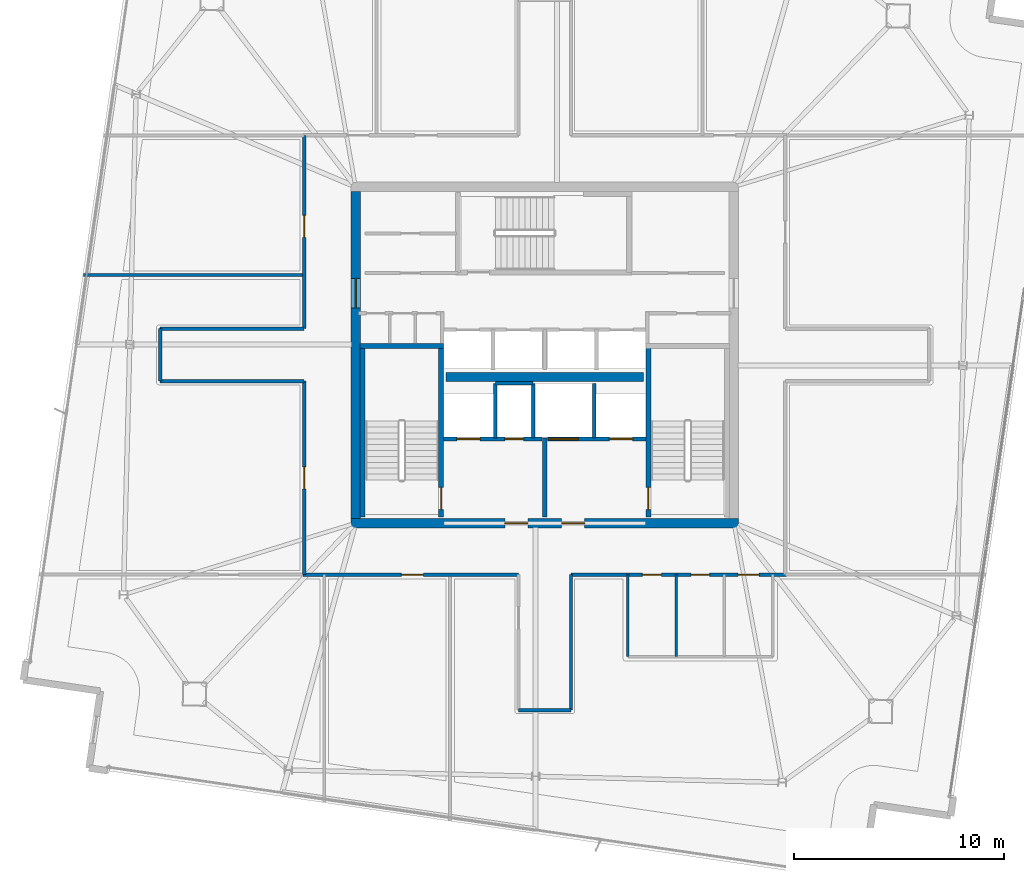
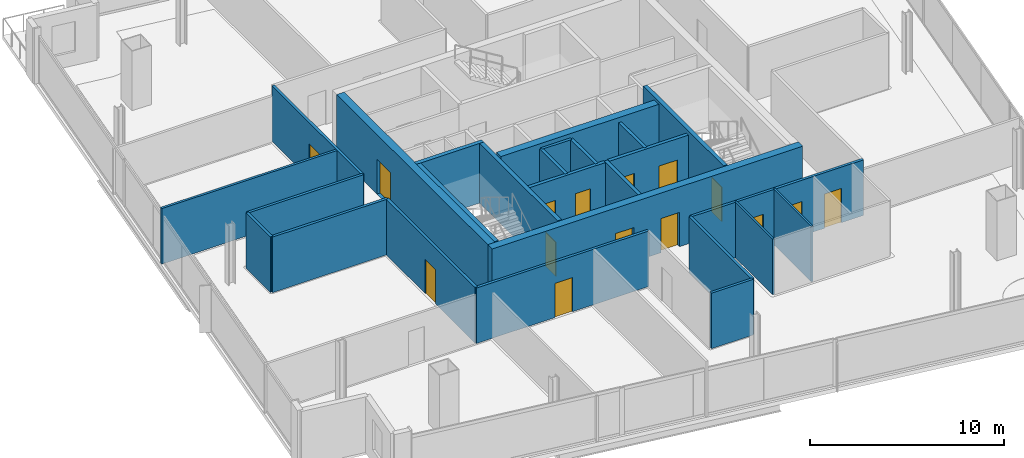
# One storey, part 17 of 22: 26 walls, 15 doors, 15 openings.
"""IFC4 building model written with IfcOpenShell, lengths in metres."""

import ifcopenshell
import ifcopenshell.guid

model = None  # the IFC model being written
_history = None  # IfcOwnerHistory: only IFC2X3 demands one
_inside = {}  # id of a spatial element -> (the spatial element, [elements in it])
_under = {}  # id of a project, library or spatial element -> (it, [spatial elements below it])
_declared = {}  # id of a project -> (the project, [libraries it declares])
_typed = {}  # id of a type object -> (the type object, [elements of that type])
_made_of = {}  # id of a material, layer set ... -> (it, [elements and type objects made of it])


def new_model(schema):
    """Start an empty IFC model of exactly this schema.

    Asked for "IFC4X3", IfcOpenShell would pick the latest addendum, in which some entities
    have other attributes; the version numbers below select the first issue.
    IFC2X3 requires an IfcOwnerHistory on every rooted entity: one is made here for all.
    """
    global model, _history
    if schema == "IFC4X3":
        model = ifcopenshell.file(schema_version=(4, 3, 0, 0))
    else:
        model = ifcopenshell.file(schema=schema)
    _inside.clear()
    _under.clear()
    _declared.clear()
    _typed.clear()
    _made_of.clear()
    _history = None
    if model.schema == "IFC2X3":
        org = make("IfcOrganization", Name="unknown")
        user = make(
            "IfcPersonAndOrganization",
            ThePerson=make("IfcPerson", FamilyName="unknown"),
            TheOrganization=org,
        )
        app = make(
            "IfcApplication",
            ApplicationDeveloper=org,
            Version="unknown",
            ApplicationFullName="unknown",
            ApplicationIdentifier="unknown",
        )
        _history = make(
            "IfcOwnerHistory",
            OwningUser=user,
            OwningApplication=app,
            ChangeAction="ADDED",
            CreationDate=0,
        )
    return model


def make(cls, **values):
    """One entity of the class cls with the attributes given. An attribute that is None is left unset."""
    return model.create_entity(
        cls, **{name: value for name, value in values.items() if value is not None}
    )


def rooted(cls, **values):
    """An entity with a GlobalId (a new one), such as an element, a storey or a relation."""
    return make(cls, GlobalId=ifcopenshell.guid.new(), OwnerHistory=_history, **values)


def si_unit(unit_type, name, prefix=None):
    """IfcSIUnit, for example si_unit("LENGTHUNIT", "METRE", prefix="MILLI")."""
    return make("IfcSIUnit", UnitType=unit_type, Prefix=prefix, Name=name)


def assignment(units):
    """IfcUnitAssignment: the units of a project."""
    return None if units is None else make("IfcUnitAssignment", Units=units)


def point(xyz):
    """IfcCartesianPoint."""
    return None if xyz is None else make("IfcCartesianPoint", Coordinates=xyz)


def direction(xyz):
    """IfcDirection."""
    return None if xyz is None else make("IfcDirection", DirectionRatios=xyz)


def frame(location, z_axis=None, x_axis=None):
    """IfcAxis2Placement3D, a coordinate frame: its origin and axes. An axis left out is left unset."""
    return make(
        "IfcAxis2Placement3D",
        Location=point(location),
        Axis=direction(z_axis),
        RefDirection=direction(x_axis),
    )


def frame_2d(location, x_axis=None):
    """IfcAxis2Placement2D, a coordinate frame in the plane: its origin and x axis."""
    return make(
        "IfcAxis2Placement2D", Location=point(location), RefDirection=direction(x_axis)
    )


def origin():
    """The frame at (0, 0, 0) with its axes left unset."""
    return frame((0.0, 0.0, 0.0))


def place(relative_to, where):
    """IfcLocalPlacement: puts the frame where relative to a parent placement (None: the world)."""
    return make(
        "IfcLocalPlacement", PlacementRelTo=relative_to, RelativePlacement=where
    )


def context(
    kind, dimensions, precision=None, world=None, true_north=None, identifier=None
):
    """IfcGeometricRepresentationContext, for example the 3D "Model" context."""
    return make(
        "IfcGeometricRepresentationContext",
        ContextIdentifier=identifier,
        ContextType=kind,
        CoordinateSpaceDimension=dimensions,
        Precision=precision,
        WorldCoordinateSystem=world,
        TrueNorth=true_north,
    )


def subcontext(parent, identifier, kind, view, scale=None):
    """IfcGeometricRepresentationSubContext, for example "Body" below "Model"."""
    return make(
        "IfcGeometricRepresentationSubContext",
        ContextIdentifier=identifier,
        ContextType=kind,
        ParentContext=parent,
        TargetScale=scale,
        TargetView=view,
    )


def project(units=None, contexts=None):
    """IfcProject with its units and contexts."""
    return rooted(
        "IfcProject",
        Name="project",
        RepresentationContexts=contexts,
        UnitsInContext=assignment(units),
    )


def spatial(cls, under=None, at=None, **own):
    """A site, building, storey or space (cls), placed at a placement, below another one or the project."""
    s = rooted(cls, ObjectPlacement=at, **own)
    if under is not None:
        _under.setdefault(under.id(), (under, []))[1].append(s)
    return s


def profile(cls, at=None, kind="AREA", **sizes):
    """A parametric profile (cls). Its sizes go by their IFC names, for example OverallWidth=200.0."""
    return make(cls, ProfileType=kind, Position=at, **sizes)


def rectangle(**sizes):
    """IfcRectangleProfileDef."""
    return profile("IfcRectangleProfileDef", **sizes)


def extrude(swept, where, along, depth):
    """IfcExtrudedAreaSolid: the profile swept, set in the frame where, extruded along a direction by depth."""
    return make(
        "IfcExtrudedAreaSolid",
        SweptArea=swept,
        Position=where,
        ExtrudedDirection=direction(along),
        Depth=depth,
    )


def shape(context_of_items, identifier, shape_type, items):
    """IfcShapeRepresentation: the items that make up one representation, for example the "Body"."""
    return make(
        "IfcShapeRepresentation",
        ContextOfItems=context_of_items,
        RepresentationIdentifier=identifier,
        RepresentationType=shape_type,
        Items=items,
    )


def material(Name=None, Category=None):
    """IfcMaterial."""
    return make("IfcMaterial", Name=Name, Category=Category)


def layer(
    of_material, thickness, ventilated=None, Name=None, Category=None, Priority=None
):
    """IfcMaterialLayer: one layer of a wall or slab, of a material (None: an air gap)."""
    return make(
        "IfcMaterialLayer",
        Material=of_material,
        LayerThickness=thickness,
        IsVentilated=ventilated,
        Name=Name,
        Category=Category,
        Priority=Priority,
    )


def layer_set(layers, Name=None):
    """IfcMaterialLayerSet."""
    return make("IfcMaterialLayerSet", MaterialLayers=layers, LayerSetName=Name)


def made_of(thing, what):
    """Note that an element or type object is made of a material, layer set ...; save() writes the relation."""
    if what is not None:
        _made_of.setdefault(what.id(), (what, []))[1].append(thing)
    return thing


def type_object(cls, material=None, **own):
    """A type object (cls), such as IfcWallType, which elements share."""
    return made_of(rooted(cls, **own), material)


def element(
    cls,
    number,
    at=None,
    inside=None,
    cuts=None,
    type_object=None,
    material=None,
    context=None,
    identifier="Body",
    shape_type=None,
    held_by="IfcProductDefinitionShape",
    body=None,
    shapes=None,
    **own,
):
    """One element of the class cls, such as IfcWall. Its Tag is "e" and its number.

    at: its placement. inside: the storey or other place that contains it. cuts: it is an
    opening in that element (IfcRelVoidsElement). A single representation is given by context,
    identifier, shape_type and body (its items); several are given by shapes. held_by: the class
    of the entity that holds the representations. save() writes the other relations.
    """
    e = rooted(cls, Tag="e%d" % number, ObjectPlacement=at, **own)
    if body is not None:
        shapes = [shape(context, identifier, shape_type, body)]
    if shapes is not None:
        e.Representation = make(held_by, Representations=shapes)
    if inside is not None:
        _inside.setdefault(inside.id(), (inside, []))[1].append(e)
    if cuts is not None:
        rooted(
            "IfcRelVoidsElement", RelatingBuildingElement=cuts, RelatedOpeningElement=e
        )
    if type_object is not None:
        _typed.setdefault(type_object.id(), (type_object, []))[1].append(e)
    return made_of(e, material)


def fill(opening, filler):
    """IfcRelFillsElement: the door or window that sits in an opening."""
    return rooted(
        "IfcRelFillsElement",
        RelatingOpeningElement=opening,
        RelatedBuildingElement=filler,
    )


def aggregate(whole, parts):
    """IfcRelAggregates: a whole, such as a stair, and the parts it consists of."""
    return rooted("IfcRelAggregates", RelatingObject=whole, RelatedObjects=parts)


def save(model, path):
    """Write the relations noted so far, then the file.

    IfcRelAggregates (storeys below a building ...), IfcRelContainedInSpatialStructure (elements
    in a storey), IfcRelDefinesByType, IfcRelAssociatesMaterial and IfcRelDeclares: one each for
    every whole, place, type object, material and project.
    """
    for whole, parts in _under.values():
        aggregate(whole, parts)
    for where, things in _inside.values():
        rooted(
            "IfcRelContainedInSpatialStructure",
            RelatedElements=things,
            RelatingStructure=where,
        )
    for kind, things in _typed.values():
        rooted("IfcRelDefinesByType", RelatedObjects=things, RelatingType=kind)
    for what, things in _made_of.values():
        rooted("IfcRelAssociatesMaterial", RelatedObjects=things, RelatingMaterial=what)
    for by, libraries in _declared.values():
        rooted("IfcRelDeclares", RelatingContext=by, RelatedDefinitions=libraries)
    model.write(path)


model = new_model("IFC4")

# Units and contexts
model_context = context("Model", 3, precision=1e-05, world=origin(), true_north=direction((0.0, 1.0)))
body_context = subcontext(model_context, "Body", "Model", "MODEL_VIEW")
ifc_project = project(units=[si_unit("LENGTHUNIT", "METRE"), si_unit("AREAUNIT", "SQUARE_METRE"), si_unit("VOLUMEUNIT", "CUBIC_METRE"), si_unit("PLANEANGLEUNIT", "RADIAN"), si_unit("MASSUNIT", "GRAM", prefix="KILO")], contexts=[model_context])

# Site, building, storey
site_placement = place(None, origin())
site = spatial("IfcSite", under=ifc_project, at=site_placement, CompositionType="ELEMENT")
building_placement = place(site_placement, origin())
building = spatial("IfcBuilding", under=site, at=building_placement, Name="Haldenkirk Collegiate Tower", CompositionType="ELEMENT")
storey_placement = place(building_placement, frame((0.0, 0.0, 302.699951171875)))
storey = spatial("IfcBuildingStorey", under=building, at=storey_placement, Name="L76", CompositionType="ELEMENT", Elevation=302.699951171875)

# Wall, openings, doors
ifc_material_1 = material(Name="Concrete f'c 55 MPa", Category="concrete")
ifc_layer_1 = layer(ifc_material_1, 0.449951171875)
ifc_layer_set_1 = layer_set([ifc_layer_1], Name="Concrete f'c 55 MPa")
wall_type_1 = type_object("IfcWallType", Name="WL-CORE-450", PredefinedType="SHEAR", material=ifc_layer_set_1)
wall_1_placement = place(storey_placement, frame((26.77490234375, 18.0, 0.0), z_axis=(0.0, 0.0, 1.0), x_axis=(1.0, 0.0, 0.0)))
wall_1 = element("IfcWall", 1, at=wall_1_placement, inside=storey, type_object=wall_type_1, Name="L76 central core shear wall S", PredefinedType="SHEAR", context=body_context, shape_type="SweptSolid", body=[
    extrude(rectangle(XDim=18.4501953125, YDim=0.449951171875, at=frame_2d((9.22509765625, 0.0))), origin(), (0.0, 0.0, 1.0), 3.75),
])
opening_1_placement = place(wall_1_placement, frame((7.324951171875, 0.0, 0.0)))
opening_1 = element("IfcOpeningElement", 2, at=opening_1_placement, cuts=wall_1, Name="Opening D-02", PredefinedType="OPENING", context=body_context, shape_type="SweptSolid", body=[
    extrude(rectangle(XDim=1.10009765625, YDim=2.14990234375, at=frame_2d((0.550048828125, 1.074951171875))), frame((0.0, 0.23486328125, 0.0), z_axis=(0.0, -1.0, 0.0), x_axis=(1.0, 0.0, 0.0)), (0.0, 0.0, 1.0), 0.469970703125),
])
opening_2_placement = place(wall_1_placement, frame((10.02490234375, 0.0, 0.0)))
opening_2 = element("IfcOpeningElement", 3, at=opening_2_placement, cuts=wall_1, Name="Opening D-02", PredefinedType="OPENING", context=body_context, shape_type="SweptSolid", body=[
    extrude(rectangle(XDim=1.10009765625, YDim=2.14990234375, at=frame_2d((0.550048828125, 1.074951171875))), frame((0.0, 0.23486328125, 0.0), z_axis=(0.0, -1.0, 0.0), x_axis=(1.0, 0.0, 0.0)), (0.0, 0.0, 1.0), 0.469970703125),
])
ifc_material_2 = material(Name="Galvanized fire-rated hollow steel door", Category="steel")
ifc_layer_2 = layer(ifc_material_2, 0.06005859375)
ifc_layer_set_2 = layer_set([ifc_layer_2], Name="Galvanized fire-rated hollow steel door")
door_type_1 = type_object("IfcDoorType", Name="DR-STAIR-FD90-1100", OperationType="NOTDEFINED", PredefinedType="DOOR", material=ifc_layer_set_2)
door_1_placement = place(opening_1_placement, origin())
door_1 = element("IfcDoor", 4, at=door_1_placement, inside=storey, type_object=door_type_1, Name="L76 Firefighting Lobby 1 door", OperationType="SINGLE_SWING_RIGHT", OverallHeight=2.14990234375, OverallWidth=1.10009765625, PredefinedType="DOOR", context=body_context, shape_type="SweptSolid", body=[
    extrude(rectangle(XDim=1.10009765625, YDim=2.14990234375, at=frame_2d((0.550048828125, 1.074951171875))), frame((0.0, 0.02490234375, 0.0), z_axis=(0.0, -1.0, 0.0), x_axis=(1.0, 0.0, 0.0)), (0.0, 0.0, 1.0), 0.050048828125),
])
fill(opening_1, door_1)
door_2_placement = place(opening_2_placement, origin())
door_2 = element("IfcDoor", 5, at=door_2_placement, inside=storey, type_object=door_type_1, Name="L76 Firefighting Lobby 2 door", OperationType="SINGLE_SWING_LEFT", OverallHeight=2.14990234375, OverallWidth=1.10009765625, PredefinedType="DOOR", context=body_context, shape_type="SweptSolid", body=[
    extrude(rectangle(XDim=1.10009765625, YDim=2.14990234375, at=frame_2d((0.550048828125, 1.074951171875))), frame((0.0, 0.02490234375, 0.0), z_axis=(0.0, -1.0, 0.0), x_axis=(1.0, 0.0, 0.0)), (0.0, 0.0, 1.0), 0.050048828125),
])
fill(opening_2, door_2)

# Wall, opening, door
wall_2_placement = place(storey_placement, frame((27.0, 18.22509765625, 0.0), z_axis=(0.0, 0.0, 1.0), x_axis=(0.0, 1.0, 0.0)))
wall_2 = element("IfcWall", 6, at=wall_2_placement, inside=storey, type_object=wall_type_1, Name="L76 central core shear wall W", PredefinedType="SHEAR", context=body_context, shape_type="SweptSolid", body=[
    extrude(rectangle(XDim=15.5498046875, YDim=0.449951171875, at=frame_2d((7.77490234375, 0.0))), origin(), (0.0, 0.0, 1.0), 3.75),
])
opening_3_placement = place(wall_2_placement, frame((10.014892578125, 0.0, 0.0)))
opening_3 = element("IfcOpeningElement", 7, at=opening_3_placement, cuts=wall_2, Name="Opening D-03", PredefinedType="OPENING", context=body_context, shape_type="SweptSolid", body=[
    extrude(rectangle(XDim=1.39990234375, YDim=2.199951171875, at=frame_2d((0.699951171875, 1.10009765625))), frame((0.0, 0.23486328125, 0.0), z_axis=(0.0, -1.0, 0.0), x_axis=(1.0, 0.0, 0.0)), (0.0, 0.0, 1.0), 0.469970703125),
])
ifc_layer_3 = layer(ifc_material_2, 0.06005859375)
ifc_layer_set_3 = layer_set([ifc_layer_3], Name="Galvanized fire-rated hollow steel door")
door_type_2 = type_object("IfcDoorType", Name="DR-LOBBY-FD90-1400", OperationType="NOTDEFINED", PredefinedType="DOOR", material=ifc_layer_set_3)
door_3_placement = place(opening_3_placement, origin())
door_3 = element("IfcDoor", 8, at=door_3_placement, inside=storey, type_object=door_type_2, Name="L76 west lift lobby portal", OperationType="DOUBLE_DOOR_SINGLE_SWING", OverallHeight=2.199951171875, OverallWidth=1.39990234375, PredefinedType="DOOR", context=body_context, shape_type="SweptSolid", body=[
    extrude(rectangle(XDim=1.39990234375, YDim=2.199951171875, at=frame_2d((0.699951171875, 1.10009765625))), frame((0.0, 0.02490234375, 0.0), z_axis=(0.0, -1.0, 0.0), x_axis=(1.0, 0.0, 0.0)), (0.0, 0.0, 1.0), 0.050048828125),
])
fill(opening_3, door_3)

# Wall
wall_3_placement = place(storey_placement, frame((31.31005859375, 24.949951171875, 0.0), z_axis=(0.0, 0.0, 1.0), x_axis=(1.0, 0.0, 0.0)))
element("IfcWall", 9, at=wall_3_placement, inside=storey, type_object=wall_type_1, Name="L76 central core spine shear wall", PredefinedType="SHEAR", context=body_context, shape_type="SweptSolid", body=[
    extrude(rectangle(XDim=9.3798828125, YDim=0.449951171875, at=frame_2d((4.68994140625, 0.0))), origin(), (0.0, 0.0, 1.0), 3.75),
])

# Wall, opening, door
ifc_material_3 = material(Name="Acoustic fire-rated gypsum partition", Category="concrete")
ifc_layer_4 = layer(ifc_material_3, 0.159912109375)
ifc_layer_set_4 = layer_set([ifc_layer_4], Name="Acoustic fire-rated gypsum partition")
wall_type_2 = type_object("IfcWallType", Name="WL-INT-CORR-160", PredefinedType="PARTITIONING", material=ifc_layer_set_4)
wall_4_placement = place(storey_placement, frame((24.5, 15.550048828125, 0.0), z_axis=(0.0, 0.0, 1.0), x_axis=(1.0, 0.0, 0.0)))
wall_4 = element("IfcWall", 10, at=wall_4_placement, inside=storey, type_object=wall_type_2, Name="L76 interior partition IW-L76-CS1", PredefinedType="PARTITIONING", context=body_context, shape_type="SweptSolid", body=[
    extrude(rectangle(XDim=10.25, YDim=0.159912109375, at=frame_2d((5.125, 0.0))), origin(), (0.0, 0.0, 1.0), 3.489990234375),
])
opening_4_placement = place(wall_4_placement, frame((4.675048828125, 0.0, 0.0)))
opening_4 = element("IfcOpeningElement", 11, at=opening_4_placement, cuts=wall_4, Name="Opening D-09", PredefinedType="OPENING", context=body_context, shape_type="SweptSolid", body=[
    extrude(rectangle(XDim=1.050048828125, YDim=2.14990234375, at=frame_2d((0.52490234375, 1.074951171875))), frame((0.0, 0.08984375, 0.0), z_axis=(0.0, -1.0, 0.0), x_axis=(1.0, 0.0, 0.0)), (0.0, 0.0, 1.0), 0.179931640625),
])
ifc_material_4 = material(Name="Solid-core architectural oak fire door", Category="wood")
ifc_layer_5 = layer(ifc_material_4, 0.06005859375)
ifc_layer_set_5 = layer_set([ifc_layer_5], Name="Solid-core architectural oak fire door")
door_type_3 = type_object("IfcDoorType", Name="DR-INT-FD60-1050", OperationType="NOTDEFINED", PredefinedType="DOOR", material=ifc_layer_set_5)
door_4_placement = place(opening_4_placement, origin())
door_4 = element("IfcDoor", 12, at=door_4_placement, inside=storey, type_object=door_type_3, Name="L76 Academic Counseling Clinic 2 door", OperationType="SINGLE_SWING_LEFT", OverallHeight=2.14990234375, OverallWidth=1.050048828125, PredefinedType="DOOR", context=body_context, shape_type="SweptSolid", body=[
    extrude(rectangle(XDim=1.050048828125, YDim=2.14990234375, at=frame_2d((0.52490234375, 1.074951171875))), frame((0.0, 0.02490234375, 0.0), z_axis=(0.0, -1.0, 0.0), x_axis=(1.0, 0.0, 0.0)), (0.0, 0.0, 1.0), 0.050048828125),
])
fill(opening_4, door_4)

# Wall, openings, doors
wall_5_placement = place(storey_placement, frame((37.25, 15.550048828125, 0.0), z_axis=(0.0, 0.0, 1.0), x_axis=(1.0, 0.0, 0.0)))
wall_5 = element("IfcWall", 13, at=wall_5_placement, inside=storey, type_object=wall_type_2, Name="L76 interior partition IW-L76-CS2", PredefinedType="PARTITIONING", context=body_context, shape_type="SweptSolid", body=[
    extrude(rectangle(XDim=10.25, YDim=0.159912109375, at=frame_2d((5.125, 0.0))), origin(), (0.0, 0.0, 1.0), 3.489990234375),
])
opening_5_placement = place(wall_5_placement, frame((3.39990234375, 0.0, 0.0)))
opening_5 = element("IfcOpeningElement", 14, at=opening_5_placement, cuts=wall_5, Name="Opening D-13", PredefinedType="OPENING", context=body_context, shape_type="SweptSolid", body=[
    extrude(rectangle(XDim=0.89990234375, YDim=2.14990234375, at=frame_2d((0.449951171875, 1.074951171875))), frame((0.0, 0.08984375, 0.0), z_axis=(0.0, -1.0, 0.0), x_axis=(1.0, 0.0, 0.0)), (0.0, 0.0, 1.0), 0.179931640625),
])
opening_6_placement = place(wall_5_placement, frame((5.699951171875, 0.0, 0.0)))
opening_6 = element("IfcOpeningElement", 15, at=opening_6_placement, cuts=wall_5, Name="Opening D-13", PredefinedType="OPENING", context=body_context, shape_type="SweptSolid", body=[
    extrude(rectangle(XDim=0.89990234375, YDim=2.14990234375, at=frame_2d((0.449951171875, 1.074951171875))), frame((0.0, 0.08984375, 0.0), z_axis=(0.0, -1.0, 0.0), x_axis=(1.0, 0.0, 0.0)), (0.0, 0.0, 1.0), 0.179931640625),
])
opening_7_placement = place(wall_5_placement, frame((7.949951171875, 0.0, 0.0)))
opening_7 = element("IfcOpeningElement", 16, at=opening_7_placement, cuts=wall_5, Name="Opening D-14", PredefinedType="OPENING", context=body_context, shape_type="SweptSolid", body=[
    extrude(rectangle(XDim=1.0, YDim=2.14990234375, at=frame_2d((0.5, 1.074951171875))), frame((0.0, 0.08984375, 0.0), z_axis=(0.0, -1.0, 0.0), x_axis=(1.0, 0.0, 0.0)), (0.0, 0.0, 1.0), 0.179931640625),
])
ifc_layer_6 = layer(ifc_material_4, 0.06005859375)
ifc_layer_set_6 = layer_set([ifc_layer_6], Name="Solid-core architectural oak fire door")
door_type_4 = type_object("IfcDoorType", Name="DR-INT-ACC-1000", OperationType="NOTDEFINED", PredefinedType="DOOR", material=ifc_layer_set_6)
door_5_placement = place(opening_7_placement, origin())
door_5 = element("IfcDoor", 17, at=door_5_placement, inside=storey, type_object=door_type_4, Name="L76 Accessible WC door", OperationType="SINGLE_SWING_LEFT", OverallHeight=2.14990234375, OverallWidth=1.0, PredefinedType="DOOR", context=body_context, shape_type="SweptSolid", body=[
    extrude(rectangle(XDim=1.0, YDim=2.14990234375, at=frame_2d((0.5, 1.074951171875))), frame((0.0, 0.02490234375, 0.0), z_axis=(0.0, -1.0, 0.0), x_axis=(1.0, 0.0, 0.0)), (0.0, 0.0, 1.0), 0.050048828125),
])
fill(opening_7, door_5)
ifc_layer_7 = layer(ifc_material_4, 0.06005859375)
ifc_layer_set_7 = layer_set([ifc_layer_7], Name="Solid-core architectural oak fire door")
door_type_5 = type_object("IfcDoorType", Name="DR-INT-STD-900", OperationType="NOTDEFINED", PredefinedType="DOOR", material=ifc_layer_set_7)
door_6_placement = place(opening_5_placement, origin())
door_6 = element("IfcDoor", 18, at=door_6_placement, inside=storey, type_object=door_type_5, Name="L76 Male WC door", OperationType="SINGLE_SWING_LEFT", OverallHeight=2.14990234375, OverallWidth=0.89990234375, PredefinedType="DOOR", context=body_context, shape_type="SweptSolid", body=[
    extrude(rectangle(XDim=0.89990234375, YDim=2.14990234375, at=frame_2d((0.449951171875, 1.074951171875))), frame((0.0, 0.02490234375, 0.0), z_axis=(0.0, -1.0, 0.0), x_axis=(1.0, 0.0, 0.0)), (0.0, 0.0, 1.0), 0.050048828125),
])
fill(opening_5, door_6)
door_7_placement = place(opening_6_placement, origin())
door_7 = element("IfcDoor", 19, at=door_7_placement, inside=storey, type_object=door_type_5, Name="L76 Female WC door", OperationType="SINGLE_SWING_RIGHT", OverallHeight=2.14990234375, OverallWidth=0.89990234375, PredefinedType="DOOR", context=body_context, shape_type="SweptSolid", body=[
    extrude(rectangle(XDim=0.89990234375, YDim=2.14990234375, at=frame_2d((0.449951171875, 1.074951171875))), frame((0.0, 0.02490234375, 0.0), z_axis=(0.0, -1.0, 0.0), x_axis=(1.0, 0.0, 0.0)), (0.0, 0.0, 1.0), 0.050048828125),
])
fill(opening_6, door_7)

# Wall, opening, door
wall_6_placement = place(storey_placement, frame((24.550048828125, 15.550048828125, 0.0), z_axis=(0.0, 0.0, 1.0), x_axis=(0.0, 1.0, 0.0)))
wall_6 = element("IfcWall", 20, at=wall_6_placement, inside=storey, type_object=wall_type_2, Name="L76 interior partition IW-L76-CW1", PredefinedType="PARTITIONING", context=body_context, shape_type="SweptSolid", body=[
    extrude(rectangle(XDim=9.199951171875, YDim=0.159912109375, at=frame_2d((4.60009765625, 0.0))), origin(), (0.0, 0.0, 1.0), 3.489990234375),
])
opening_8_placement = place(wall_6_placement, frame((4.074951171875, 0.0, 0.0)))
opening_8 = element("IfcOpeningElement", 21, at=opening_8_placement, cuts=wall_6, Name="Opening D-09", PredefinedType="OPENING", context=body_context, shape_type="SweptSolid", body=[
    extrude(rectangle(XDim=1.050048828125, YDim=2.14990234375, at=frame_2d((0.52490234375, 1.074951171875))), frame((0.0, 0.08984375, 0.0), z_axis=(0.0, -1.0, 0.0), x_axis=(1.0, 0.0, 0.0)), (0.0, 0.0, 1.0), 0.179931640625),
])
door_8_placement = place(opening_8_placement, origin())
door_8 = element("IfcDoor", 22, at=door_8_placement, inside=storey, type_object=door_type_3, Name="L76 Student Wellness Clinic 7 door", OperationType="SINGLE_SWING_RIGHT", OverallHeight=2.14990234375, OverallWidth=1.050048828125, PredefinedType="DOOR", context=body_context, shape_type="SweptSolid", body=[
    extrude(rectangle(XDim=1.050048828125, YDim=2.14990234375, at=frame_2d((0.52490234375, 1.074951171875))), frame((0.0, 0.02490234375, 0.0), z_axis=(0.0, -1.0, 0.0), x_axis=(1.0, 0.0, 0.0)), (0.0, 0.0, 1.0), 0.050048828125),
])
fill(opening_8, door_8)

wall_7_placement = place(storey_placement, frame((24.550048828125, 27.25, 0.0), z_axis=(0.0, 0.0, 1.0), x_axis=(0.0, 1.0, 0.0)))
wall_7 = element("IfcWall", 23, at=wall_7_placement, inside=storey, type_object=wall_type_2, Name="L76 interior partition IW-L76-CW2", PredefinedType="PARTITIONING", context=body_context, shape_type="SweptSolid", body=[
    extrude(rectangle(XDim=9.199951171875, YDim=0.159912109375, at=frame_2d((4.60009765625, 0.0))), origin(), (0.0, 0.0, 1.0), 3.489990234375),
])
opening_9_placement = place(wall_7_placement, frame((4.345947265625, 0.0, 0.0)))
opening_9 = element("IfcOpeningElement", 24, at=opening_9_placement, cuts=wall_7, Name="Opening D-09", PredefinedType="OPENING", context=body_context, shape_type="SweptSolid", body=[
    extrude(rectangle(XDim=1.050048828125, YDim=2.14990234375, at=frame_2d((0.52490234375, 1.074951171875))), frame((0.0, 0.08984375, 0.0), z_axis=(0.0, -1.0, 0.0), x_axis=(1.0, 0.0, 0.0)), (0.0, 0.0, 1.0), 0.179931640625),
])
door_9_placement = place(opening_9_placement, origin())
door_9 = element("IfcDoor", 25, at=door_9_placement, inside=storey, type_object=door_type_3, Name="L76 Academic Counseling Clinic 8 door", OperationType="SINGLE_SWING_LEFT", OverallHeight=2.14990234375, OverallWidth=1.050048828125, PredefinedType="DOOR", context=body_context, shape_type="SweptSolid", body=[
    extrude(rectangle(XDim=1.050048828125, YDim=2.14990234375, at=frame_2d((0.52490234375, 1.074951171875))), frame((0.0, 0.02490234375, 0.0), z_axis=(0.0, -1.0, 0.0), x_axis=(1.0, 0.0, 0.0)), (0.0, 0.0, 1.0), 0.050048828125),
])
fill(opening_9, door_9)

# Walls
wall_8_placement = place(storey_placement, frame((37.25, 9.10009765625, 0.0), z_axis=(0.0, 0.0, 1.0), x_axis=(0.0, 1.0, 0.0)))
element("IfcWall", 26, at=wall_8_placement, inside=storey, type_object=wall_type_2, Name="L76 interior partition IW-L76-SPE", PredefinedType="PARTITIONING", context=body_context, shape_type="SweptSolid", body=[
    extrude(rectangle(XDim=6.449951171875, YDim=0.159912109375, at=frame_2d((3.22509765625, 0.0))), origin(), (0.0, 0.0, 1.0), 3.489990234375),
])
wall_9_placement = place(storey_placement, frame((34.75, 9.10009765625, 0.0), z_axis=(0.0, 0.0, 1.0), x_axis=(1.0, 0.0, 0.0)))
element("IfcWall", 27, at=wall_9_placement, inside=storey, type_object=wall_type_2, Name="L76 interior partition IW-L76-SPS", PredefinedType="PARTITIONING", context=body_context, shape_type="SweptSolid", body=[
    extrude(rectangle(XDim=2.5, YDim=0.159912109375, at=frame_2d((1.25, 0.0))), origin(), (0.0, 0.0, 1.0), 3.489990234375),
])
for number, where, z_axis, x_axis, name in (
    (28, (17.699951171875, 24.75, 0.0), (0.0, 0.0, 1.0), (1.0, 0.0, 0.0), "L76 interior partition IW-L76-WPS"),
    (29, (17.699951171875, 27.25, 0.0), (0.0, 0.0, 1.0), (1.0, 0.0, 0.0), "L76 interior partition IW-L76-WPN"),
):
    element("IfcWall", number, at=place(storey_placement, frame(where, z_axis=z_axis, x_axis=x_axis)), inside=storey, type_object=wall_type_2, Name=name, PredefinedType="PARTITIONING", context=body_context, shape_type="SweptSolid", body=[
        extrude(rectangle(XDim=6.85009765625, YDim=0.159912109375, at=frame_2d((3.425048828125, 0.0))), origin(), (0.0, 0.0, 1.0), 3.489990234375),
    ])
wall_10_placement = place(storey_placement, frame((17.699951171875, 24.75, 0.0), z_axis=(0.0, 0.0, 1.0), x_axis=(0.0, 1.0, 0.0)))
element("IfcWall", 30, at=wall_10_placement, inside=storey, type_object=wall_type_2, Name="L76 interior partition IW-L76-WPW", PredefinedType="PARTITIONING", context=body_context, shape_type="SweptSolid", body=[
    extrude(rectangle(XDim=2.5, YDim=0.159912109375, at=frame_2d((1.25, 0.0))), origin(), (0.0, 0.0, 1.0), 3.489990234375),
])
ifc_layer_8 = layer(ifc_material_3, 0.139892578125)
ifc_layer_set_8 = layer_set([ifc_layer_8], Name="Acoustic fire-rated gypsum partition")
wall_type_3 = type_object("IfcWallType", Name="WL-INT-DIV-140", PredefinedType="PARTITIONING", material=ifc_layer_set_8)
wall_11_placement = place(storey_placement, frame((14.05908203125, 29.800048828125, 0.0), z_axis=(0.0, 0.0, 1.0), x_axis=(1.0, 0.0, 0.0)))
element("IfcWall", 31, at=wall_11_placement, inside=storey, type_object=wall_type_3, Name="L76 interior partition IW-L76-RW1", PredefinedType="PARTITIONING", context=body_context, shape_type="SweptSolid", body=[
    extrude(rectangle(XDim=10.490966796875, YDim=0.139892578125, at=frame_2d((5.24560546875, 0.0))), origin(), (0.0, 0.0, 1.0), 3.489990234375),
])
ifc_material_5 = material(Name="Fire-rated gypsum shaftboard assembly", Category="concrete")
ifc_layer_9 = layer(ifc_material_5, 0.179931640625)
ifc_layer_set_9 = layer_set([ifc_layer_9], Name="Fire-rated gypsum shaftboard assembly")
wall_type_4 = type_object("IfcWallType", Name="WL-INT-SHAFT-180", PredefinedType="PARTITIONING", material=ifc_layer_set_9)
for number, where, z_axis, x_axis, name in (
    (32, (33.64990234375, 22.050048828125, 0.0), (0.0, 0.0, 1.0), (0.0, 1.0, 0.0), "L76 interior partition IW-L76-FL1E"),
    (33, (35.449951171875, 22.050048828125, 0.0), (0.0, 0.0, 1.0), (0.0, 1.0, 0.0), "L76 interior partition IW-L76-GL1W"),
):
    element("IfcWall", number, at=place(storey_placement, frame(where, z_axis=z_axis, x_axis=x_axis)), inside=storey, type_object=wall_type_4, Name=name, PredefinedType="PARTITIONING", context=body_context, shape_type="SweptSolid", body=[
        extrude(rectangle(XDim=2.599853515625, YDim=0.179931640625, at=frame_2d((1.2998046875, 0.0))), origin(), (0.0, 0.0, 1.0), 3.489990234375),
    ])
wall_12_placement = place(storey_placement, frame((33.64990234375, 24.64990234375, 0.0), z_axis=(0.0, 0.0, 1.0), x_axis=(1.0, 0.0, 0.0)))
element("IfcWall", 34, at=wall_12_placement, inside=storey, type_object=wall_type_4, Name="L76 interior partition IW-L76-RSRN", PredefinedType="PARTITIONING", context=body_context, shape_type="SweptSolid", body=[
    extrude(rectangle(XDim=1.800048828125, YDim=0.179931640625, at=frame_2d((0.89990234375, 0.0))), origin(), (0.0, 0.0, 1.0), 3.489990234375),
])
wall_13_placement = place(storey_placement, frame((38.35009765625, 22.050048828125, 0.0), z_axis=(0.0, 0.0, 1.0), x_axis=(0.0, 1.0, 0.0)))
element("IfcWall", 35, at=wall_13_placement, inside=storey, type_object=wall_type_4, Name="L76 interior partition IW-L76-GL1E", PredefinedType="PARTITIONING", context=body_context, shape_type="SweptSolid", body=[
    extrude(rectangle(XDim=2.599853515625, YDim=0.179931640625, at=frame_2d((1.2998046875, 0.0))), origin(), (0.0, 0.0, 1.0), 3.489990234375),
])
ifc_layer_10 = layer(ifc_material_5, 0.199951171875)
ifc_layer_set_10 = layer_set([ifc_layer_10], Name="Fire-rated gypsum shaftboard assembly")
wall_type_5 = type_object("IfcWallType", Name="WL-INT-SHAFT-200", PredefinedType="PARTITIONING", material=ifc_layer_set_10)
wall_14_placement = place(storey_placement, frame((36.0, 18.280029296875, 0.0), z_axis=(0.0, 0.0, 1.0), x_axis=(0.0, 1.0, 0.0)))
element("IfcWall", 36, at=wall_14_placement, inside=storey, type_object=wall_type_5, Name="L76 interior partition IW-L76-FFLM", PredefinedType="PARTITIONING", context=body_context, shape_type="SweptSolid", body=[
    extrude(rectangle(XDim=3.77001953125, YDim=0.199951171875, at=frame_2d((1.885009765625, 0.0))), origin(), (0.0, 0.0, 1.0), 3.489990234375),
])

# Wall, openings, doors
wall_15_placement = place(storey_placement, frame((31.18994140625, 22.0, 0.0), z_axis=(0.0, 0.0, 1.0), x_axis=(1.0, 0.0, 0.0)))
wall_15 = element("IfcWall", 37, at=wall_15_placement, inside=storey, type_object=wall_type_5, Name="L76 interior partition IW-L76-FFL1N", PredefinedType="PARTITIONING", context=body_context, shape_type="SweptSolid", body=[
    extrude(rectangle(XDim=4.68994140625, YDim=0.199951171875, at=frame_2d((2.344970703125, 0.0))), origin(), (0.0, 0.0, 1.0), 3.489990234375),
])
opening_10_placement = place(wall_15_placement, frame((2.909912109375, 0.0, 0.0)))
opening_10 = element("IfcOpeningElement", 38, at=opening_10_placement, cuts=wall_15, Name="Opening D-06", PredefinedType="OPENING", context=body_context, shape_type="SweptSolid", body=[
    extrude(rectangle(XDim=0.89990234375, YDim=2.14990234375, at=frame_2d((0.449951171875, 1.074951171875))), frame((0.0, 0.10986328125, 0.0), z_axis=(0.0, -1.0, 0.0), x_axis=(1.0, 0.0, 0.0)), (0.0, 0.0, 1.0), 0.219970703125),
])
opening_11_placement = place(wall_15_placement, frame((0.635009765625, 0.0, 0.0)))
opening_11 = element("IfcOpeningElement", 39, at=opening_11_placement, cuts=wall_15, Name="Opening LD-12", PredefinedType="OPENING", context=body_context, shape_type="SweptSolid", body=[
    extrude(rectangle(XDim=1.10009765625, YDim=2.14990234375, at=frame_2d((0.550048828125, 1.074951171875))), frame((0.0, 0.10986328125, 0.0), z_axis=(0.0, -1.0, 0.0), x_axis=(1.0, 0.0, 0.0)), (0.0, 0.0, 1.0), 0.219970703125),
])
ifc_layer_11 = layer(ifc_material_2, 0.06005859375)
ifc_layer_set_11 = layer_set([ifc_layer_11], Name="Galvanized fire-rated hollow steel door")
door_type_6 = type_object("IfcDoorType", Name="DR-INT-FD90-900", OperationType="NOTDEFINED", PredefinedType="DOOR", material=ifc_layer_set_11)
door_10_placement = place(opening_10_placement, origin())
door_10 = element("IfcDoor", 40, at=door_10_placement, inside=storey, type_object=door_type_6, Name="L76 electrical riser door", OperationType="SINGLE_SWING_RIGHT", OverallHeight=2.14990234375, OverallWidth=0.89990234375, PredefinedType="DOOR", context=body_context, shape_type="SweptSolid", body=[
    extrude(rectangle(XDim=0.89990234375, YDim=2.14990234375, at=frame_2d((0.449951171875, 1.074951171875))), frame((0.0, 0.02490234375, 0.0), z_axis=(0.0, -1.0, 0.0), x_axis=(1.0, 0.0, 0.0)), (0.0, 0.0, 1.0), 0.050048828125),
])
fill(opening_10, door_10)
ifc_material_6 = material(Name="Brushed architectural stainless steel", Category="steel")
ifc_layer_12 = layer(ifc_material_6, 0.06005859375)
ifc_layer_set_12 = layer_set([ifc_layer_12], Name="Brushed architectural stainless steel")
door_type_7 = type_object("IfcDoorType", Name="LD-FIRE-1100", OperationType="NOTDEFINED", PredefinedType="DOOR", material=ifc_layer_set_12)
door_11_placement = place(opening_11_placement, origin())
door_11 = element("IfcDoor", 41, at=door_11_placement, inside=storey, type_object=door_type_7, Name="L76 Elevator FL1 sliding landing door", OperationType="SLIDING_TO_LEFT", OverallHeight=2.14990234375, OverallWidth=1.10009765625, PredefinedType="DOOR", context=body_context, shape_type="SweptSolid", body=[
    extrude(rectangle(XDim=1.10009765625, YDim=2.14990234375, at=frame_2d((0.550048828125, 1.074951171875))), frame((0.0, 0.02490234375, 0.0), z_axis=(0.0, -1.0, 0.0), x_axis=(1.0, 0.0, 0.0)), (0.0, 0.0, 1.0), 0.050048828125),
])
fill(opening_11, door_11)

wall_16_placement = place(storey_placement, frame((36.1201171875, 22.0, 0.0), z_axis=(0.0, 0.0, 1.0), x_axis=(1.0, 0.0, 0.0)))
wall_16 = element("IfcWall", 42, at=wall_16_placement, inside=storey, type_object=wall_type_5, Name="L76 interior partition IW-L76-FFL2N", PredefinedType="PARTITIONING", context=body_context, shape_type="SweptSolid", body=[
    extrude(rectangle(XDim=4.68994140625, YDim=0.199951171875, at=frame_2d((2.344970703125, 0.0))), origin(), (0.0, 0.0, 1.0), 3.489990234375),
])
opening_12_placement = place(wall_16_placement, frame((2.955078125, 0.0, 0.0)))
opening_12 = element("IfcOpeningElement", 43, at=opening_12_placement, cuts=wall_16, Name="Opening LD-12", PredefinedType="OPENING", context=body_context, shape_type="SweptSolid", body=[
    extrude(rectangle(XDim=1.10009765625, YDim=2.14990234375, at=frame_2d((0.550048828125, 1.074951171875))), frame((0.0, 0.10986328125, 0.0), z_axis=(0.0, -1.0, 0.0), x_axis=(1.0, 0.0, 0.0)), (0.0, 0.0, 1.0), 0.219970703125),
])
opening_13_placement = place(wall_16_placement, frame((0.080078125, 0.0, 0.0)))
opening_13 = element("IfcOpeningElement", 44, at=opening_13_placement, cuts=wall_16, Name="Opening LD-13", PredefinedType="OPENING", context=body_context, shape_type="SweptSolid", body=[
    extrude(rectangle(XDim=1.39990234375, YDim=2.199951171875, at=frame_2d((0.699951171875, 1.10009765625))), frame((0.0, 0.10986328125, 0.0), z_axis=(0.0, -1.0, 0.0), x_axis=(1.0, 0.0, 0.0)), (0.0, 0.0, 1.0), 0.219970703125),
])
door_12_placement = place(opening_12_placement, origin())
door_12 = element("IfcDoor", 45, at=door_12_placement, inside=storey, type_object=door_type_7, Name="L76 Elevator FL2 sliding landing door", OperationType="SLIDING_TO_LEFT", OverallHeight=2.14990234375, OverallWidth=1.10009765625, PredefinedType="DOOR", context=body_context, shape_type="SweptSolid", body=[
    extrude(rectangle(XDim=1.10009765625, YDim=2.14990234375, at=frame_2d((0.550048828125, 1.074951171875))), frame((0.0, 0.02490234375, 0.0), z_axis=(0.0, -1.0, 0.0), x_axis=(1.0, 0.0, 0.0)), (0.0, 0.0, 1.0), 0.050048828125),
])
fill(opening_12, door_12)
ifc_layer_13 = layer(ifc_material_6, 0.06005859375)
ifc_layer_set_13 = layer_set([ifc_layer_13], Name="Brushed architectural stainless steel")
door_type_8 = type_object("IfcDoorType", Name="LD-GOODS-1400", OperationType="NOTDEFINED", PredefinedType="DOOR", material=ifc_layer_set_13)
door_13_placement = place(opening_13_placement, origin())
door_13 = element("IfcDoor", 46, at=door_13_placement, inside=storey, type_object=door_type_8, Name="L76 Elevator GL1 sliding landing door", OperationType="SLIDING_TO_LEFT", OverallHeight=2.199951171875, OverallWidth=1.39990234375, PredefinedType="DOOR", context=body_context, shape_type="SweptSolid", body=[
    extrude(rectangle(XDim=1.39990234375, YDim=2.199951171875, at=frame_2d((0.699951171875, 1.10009765625))), frame((0.0, 0.02490234375, 0.0), z_axis=(0.0, -1.0, 0.0), x_axis=(1.0, 0.0, 0.0)), (0.0, 0.0, 1.0), 0.050048828125),
])
fill(opening_13, door_13)

# Walls
ifc_layer_14 = layer(ifc_material_3, 0.1201171875)
ifc_layer_set_14 = layer_set([ifc_layer_14], Name="Acoustic fire-rated gypsum partition")
wall_type_6 = type_object("IfcWallType", Name="WL-INT-WET-120", PredefinedType="PARTITIONING", material=ifc_layer_set_14)
for number, where, z_axis, x_axis, name in (
    (47, (39.949951171875, 11.64990234375, 0.0), (0.0, 0.0, 1.0), (0.0, 1.0, 0.0), "L76 interior partition IW-L76-WCW"),
    (48, (42.25, 11.64990234375, 0.0), (0.0, 0.0, 1.0), (0.0, 1.0, 0.0), "L76 interior partition IW-L76-WC1"),
):
    element("IfcWall", number, at=place(storey_placement, frame(where, z_axis=z_axis, x_axis=x_axis)), inside=storey, type_object=wall_type_6, Name=name, PredefinedType="PARTITIONING", context=body_context, shape_type="SweptSolid", body=[
        extrude(rectangle(XDim=3.900146484375, YDim=0.1201171875, at=frame_2d((1.9501953125, 0.0))), origin(), (0.0, 0.0, 1.0), 3.489990234375),
    ])

# Wall, opening, door
ifc_layer_15 = layer(ifc_material_1, 0.239990234375)
ifc_layer_set_15 = layer_set([ifc_layer_15], Name="Concrete f'c 55 MPa")
wall_type_7 = type_object("IfcWallType", Name="WL-SHAFT-240", PredefinedType="SHEAR", material=ifc_layer_set_15)
wall_17_placement = place(storey_placement, frame((31.070068359375, 18.280029296875, 0.0), z_axis=(0.0, 0.0, 1.0), x_axis=(0.0, 1.0, 0.0)))
wall_17 = element("IfcWall", 49, at=wall_17_placement, inside=storey, type_object=wall_type_7, Name="L76 stair shaft shear wall SW-L76-ST1E", PredefinedType="SHEAR", context=body_context, shape_type="SweptSolid", body=[
    extrude(rectangle(XDim=8.260009765625, YDim=0.239990234375, at=frame_2d((4.1298828125, 0.0))), origin(), (0.0, 0.0, 1.0), 3.75),
])
opening_14_placement = place(wall_17_placement, frame((0.364990234375, 0.0, 0.0)))
opening_14 = element("IfcOpeningElement", 50, at=opening_14_placement, cuts=wall_17, Name="Opening D-01", PredefinedType="OPENING", context=body_context, shape_type="SweptSolid", body=[
    extrude(rectangle(XDim=1.050048828125, YDim=2.14990234375, at=frame_2d((0.52490234375, 1.074951171875))), frame((0.0, 0.1298828125, 0.0), z_axis=(0.0, -1.0, 0.0), x_axis=(1.0, 0.0, 0.0)), (0.0, 0.0, 1.0), 0.260009765625),
])
ifc_layer_16 = layer(ifc_material_2, 0.06005859375)
ifc_layer_set_16 = layer_set([ifc_layer_16], Name="Galvanized fire-rated hollow steel door")
door_type_9 = type_object("IfcDoorType", Name="DR-STAIR-FD90-1050", OperationType="NOTDEFINED", PredefinedType="DOOR", material=ifc_layer_set_16)
door_14_placement = place(opening_14_placement, origin())
door_14 = element("IfcDoor", 51, at=door_14_placement, inside=storey, type_object=door_type_9, Name="L76 Stair 1 door", OperationType="SINGLE_SWING_LEFT", OverallHeight=2.14990234375, OverallWidth=1.050048828125, PredefinedType="DOOR", context=body_context, shape_type="SweptSolid", body=[
    extrude(rectangle(XDim=1.050048828125, YDim=2.14990234375, at=frame_2d((0.52490234375, 1.074951171875))), frame((0.0, 0.02490234375, 0.0), z_axis=(0.0, -1.0, 0.0), x_axis=(1.0, 0.0, 0.0)), (0.0, 0.0, 1.0), 0.050048828125),
])
fill(opening_14, door_14)

# Walls
wall_18_placement = place(storey_placement, frame((27.2099609375, 26.419921875, 0.0), z_axis=(0.0, 0.0, 1.0), x_axis=(1.0, 0.0, 0.0)))
element("IfcWall", 52, at=wall_18_placement, inside=storey, type_object=wall_type_7, Name="L76 stair shaft shear wall SW-L76-ST1N", PredefinedType="SHEAR", context=body_context, shape_type="SweptSolid", body=[
    extrude(rectangle(XDim=3.97998046875, YDim=0.239990234375, at=frame_2d((1.989990234375, 0.0))), origin(), (0.0, 0.0, 1.0), 3.75),
])
wall_19_placement = place(storey_placement, frame((27.330078125, 18.280029296875, 0.0), z_axis=(0.0, 0.0, 1.0), x_axis=(0.0, 1.0, 0.0)))
element("IfcWall", 53, at=wall_19_placement, inside=storey, type_object=wall_type_7, Name="L76 stair shaft shear wall SW-L76-ST1W", PredefinedType="SHEAR", context=body_context, shape_type="SweptSolid", body=[
    extrude(rectangle(XDim=8.260009765625, YDim=0.239990234375, at=frame_2d((4.1298828125, 0.0))), origin(), (0.0, 0.0, 1.0), 3.75),
])

# Wall, opening, door
wall_20_placement = place(storey_placement, frame((40.929931640625, 18.280029296875, 0.0), z_axis=(0.0, 0.0, 1.0), x_axis=(0.0, 1.0, 0.0)))
wall_20 = element("IfcWall", 54, at=wall_20_placement, inside=storey, type_object=wall_type_7, Name="L76 stair shaft shear wall SW-L76-ST2W", PredefinedType="SHEAR", context=body_context, shape_type="SweptSolid", body=[
    extrude(rectangle(XDim=8.260009765625, YDim=0.239990234375, at=frame_2d((4.1298828125, 0.0))), origin(), (0.0, 0.0, 1.0), 3.75),
])
opening_15_placement = place(wall_20_placement, frame((0.364990234375, 0.0, 0.0)))
opening_15 = element("IfcOpeningElement", 55, at=opening_15_placement, cuts=wall_20, Name="Opening D-01", PredefinedType="OPENING", context=body_context, shape_type="SweptSolid", body=[
    extrude(rectangle(XDim=1.050048828125, YDim=2.14990234375, at=frame_2d((0.52490234375, 1.074951171875))), frame((0.0, 0.1298828125, 0.0), z_axis=(0.0, -1.0, 0.0), x_axis=(1.0, 0.0, 0.0)), (0.0, 0.0, 1.0), 0.260009765625),
])
door_15_placement = place(opening_15_placement, origin())
door_15 = element("IfcDoor", 56, at=door_15_placement, inside=storey, type_object=door_type_9, Name="L76 Stair 2 door", OperationType="SINGLE_SWING_RIGHT", OverallHeight=2.14990234375, OverallWidth=1.050048828125, PredefinedType="DOOR", context=body_context, shape_type="SweptSolid", body=[
    extrude(rectangle(XDim=1.050048828125, YDim=2.14990234375, at=frame_2d((0.52490234375, 1.074951171875))), frame((0.0, 0.02490234375, 0.0), z_axis=(0.0, -1.0, 0.0), x_axis=(1.0, 0.0, 0.0)), (0.0, 0.0, 1.0), 0.050048828125),
])
fill(opening_15, door_15)

save(model, "model.ifc")
